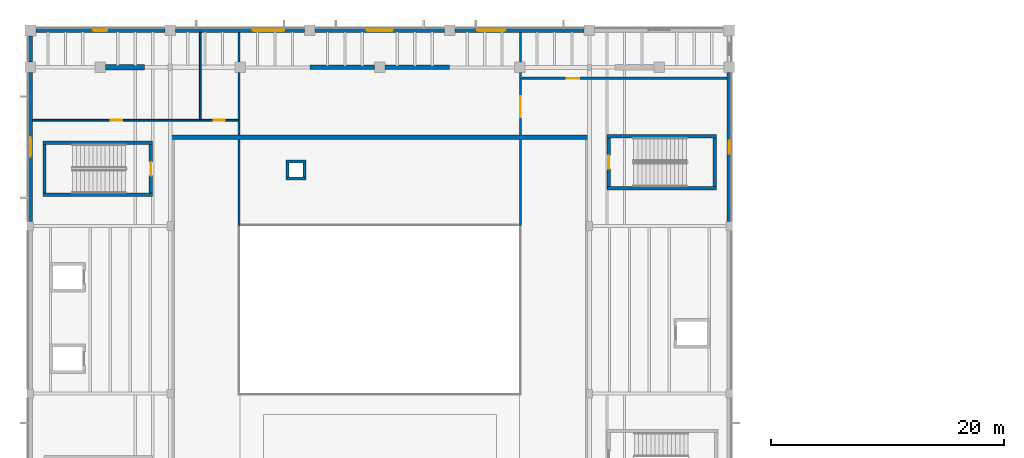
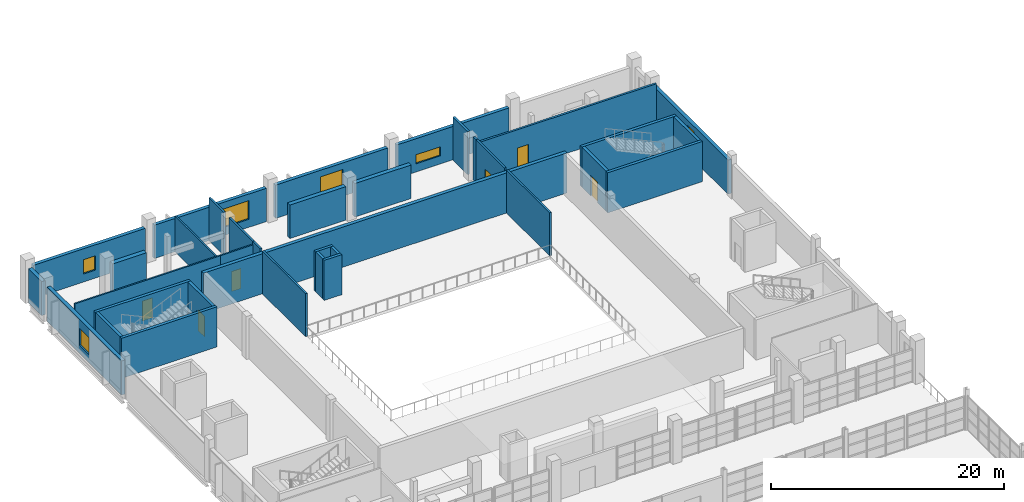
# One storey, part 93 of 114: 35 walls, 6 doors, 6 windows, 12 openings.
"""IFC4 building model written with IfcOpenShell, lengths in metres."""

from ifc_helpers import new_model, si_unit, direction, frame, frame_2d, origin, place, context, subcontext, project, spatial, rectangle, extrude, material, layer, layer_set, type_object, element, fill, save


model = new_model("IFC4")

# Units and contexts
model_context = context("Model", 3, precision=1e-05, world=origin(), true_north=direction((0.0, 1.0)))
body_context = subcontext(model_context, "Body", "Model", "MODEL_VIEW")
ifc_project = project(units=[si_unit("LENGTHUNIT", "METRE"), si_unit("AREAUNIT", "SQUARE_METRE"), si_unit("VOLUMEUNIT", "CUBIC_METRE"), si_unit("PLANEANGLEUNIT", "RADIAN"), si_unit("MASSUNIT", "GRAM", prefix="KILO")], contexts=[model_context])

# Site, building, storey
site_placement = place(None, origin())
site = spatial("IfcSite", under=ifc_project, at=site_placement, CompositionType="ELEMENT")
building_placement = place(site_placement, origin())
building = spatial("IfcBuilding", under=site, at=building_placement, Name="Kelmvaro Bay Concert Hall", CompositionType="ELEMENT")
storey_placement = place(building_placement, frame((0.0, 0.0, 4.800048828125)))
storey = spatial("IfcBuildingStorey", under=building, at=storey_placement, Name="L01", CompositionType="ELEMENT", Elevation=4.800048828125)

# Walls
ifc_material_1 = material(Name="Acoustic Gypsum Board on Galvanised Steel Studs", Category="steel")
ifc_layer_1 = layer(ifc_material_1, 0.199951171875)
ifc_layer_set_1 = layer_set([ifc_layer_1], Name="Acoustic Gypsum Board on Galvanised Steel Studs")
wall_type_1 = type_object("IfcWallType", Name="Double-Stud Acoustic Studio Partition 200", PredefinedType="PARTITIONING", material=ifc_layer_set_1)
wall_1_placement = place(storey_placement, frame((42.080078125, 109.875, 0.0), z_axis=(0.0, 0.0, 1.0), x_axis=(0.0, 1.0, 0.0)))
element("IfcWall", 1, at=wall_1_placement, inside=storey, type_object=wall_type_1, Name="L01 Interior Partition PT-L01-0137", PredefinedType="PARTITIONING", context=body_context, shape_type="SweptSolid", body=[
    extrude(rectangle(XDim=0.487060546875, YDim=0.199951171875, at=frame_2d((0.24365234375, 0.0))), origin(), (0.0, 0.0, 1.0), 4.5),
])
wall_2_placement = place(storey_placement, frame((42.080078125, 111.278076171875, 0.0), z_axis=(0.0, 0.0, 1.0), x_axis=(0.0, 1.0, 0.0)))
element("IfcWall", 2, at=wall_2_placement, inside=storey, type_object=wall_type_1, Name="L01 Interior Partition PT-L01-0138", PredefinedType="PARTITIONING", context=body_context, shape_type="SweptSolid", body=[
    extrude(rectangle(XDim=2.5419921875, YDim=0.199951171875, at=frame_2d((1.27099609375, 0.0))), origin(), (0.0, 0.0, 1.0), 4.5),
])

# Wall, opening, door
wall_3_placement = place(storey_placement, frame((42.18994140625, 109.8798828125, 0.0), z_axis=(0.0, 0.0, 1.0), x_axis=(1.0, 0.0, 0.0)))
wall_3 = element("IfcWall", 3, at=wall_3_placement, inside=storey, type_object=wall_type_1, Name="L01 Interior Partition PT-L01-0144", PredefinedType="PARTITIONING", context=body_context, shape_type="SweptSolid", body=[
    extrude(rectangle(XDim=17.630126953125, YDim=0.199951171875, at=frame_2d((8.81494140625, 0.0))), origin(), (0.0, 0.0, 1.0), 4.179931640625),
])
opening_1_placement = place(wall_3_placement, frame((3.84765625, 0.0, 0.0)))
opening_1 = element("IfcOpeningElement", 4, at=opening_1_placement, cuts=wall_3, Name="Opening ID-AC5", PredefinedType="OPENING", context=body_context, shape_type="SweptSolid", body=[
    extrude(rectangle(XDim=1.10009765625, YDim=2.260009765625, at=frame_2d((0.550048828125, 1.1298828125))), frame((0.0, 0.10986328125, 0.0), z_axis=(0.0, -1.0, 0.0), x_axis=(1.0, 0.0, 0.0)), (0.0, 0.0, 1.0), 0.219970703125),
])
ifc_material_2 = material(Name="Acoustic Laminated Steel Core", Category="steel")
door_type_1 = type_object("IfcDoorType", Name="Studio Sound-Lock Heavy Door 1100x2260", OperationType="NOTDEFINED", PredefinedType="DOOR", material=ifc_material_2)
door_1_placement = place(opening_1_placement, origin())
door_1 = element("IfcDoor", 5, at=door_1_placement, inside=storey, type_object=door_type_1, Name="L01 Interior Door DR-INT-L01-0087", OperationType="SINGLE_SWING_LEFT", OverallHeight=2.260009765625, OverallWidth=1.10009765625, PredefinedType="DOOR", context=body_context, shape_type="SweptSolid", body=[
    extrude(rectangle(XDim=1.10009765625, YDim=2.260009765625, at=frame_2d((0.550048828125, 1.1298828125))), frame((0.0, 0.02490234375, 0.0), z_axis=(0.0, -1.0, 0.0), x_axis=(1.0, 0.0, 0.0)), (0.0, 0.0, 1.0), 0.050048828125),
])
fill(opening_1, door_1)

# Wall
ifc_material_3 = material(Name="Concrete C40/50", Category="concrete")
ifc_layer_2 = layer(ifc_material_3, 0.35009765625)
ifc_layer_set_2 = layer_set([ifc_layer_2], Name="Concrete C40/50")
wall_type_2 = type_object("IfcWallType", Name="Inner Floating Box Shear Wall 350", PredefinedType="SHEAR", material=ifc_layer_set_2)
wall_4_placement = place(storey_placement, frame((12.0048828125, 104.820068359375, 0.0), z_axis=(0.0, 0.0, 1.0), x_axis=(1.0, 0.0, 0.0)))
element("IfcWall", 6, at=wall_4_placement, inside=storey, type_object=wall_type_2, Name="L01 V1 Acoustic Inner Box Wall N", PredefinedType="SHEAR", context=body_context, shape_type="SweptSolid", body=[
    extrude(rectangle(XDim=35.990234375, YDim=0.35009765625, at=frame_2d((17.9951171875, 0.0))), origin(), (0.0, 0.0, 1.0), 4.199951171875),
])

# Wall, opening, window
ifc_material_4 = material(Name="Precast Concrete C40/50", Category="concrete")
ifc_layer_3 = layer(ifc_material_4, 0.340087890625)
ifc_layer_set_3 = layer_set([ifc_layer_3], Name="Precast Concrete C40/50")
wall_type_3 = type_object("IfcWallType", Name="Main Hall Faceted Precast Wall 340", PredefinedType="SOLIDWALL", material=ifc_layer_set_3)
wall_5_placement = place(storey_placement, frame((0.47509765625, 114.0, 0.0), z_axis=(0.0, 0.0, 1.0), x_axis=(1.0, 0.0, 0.0)))
wall_5 = element("IfcWall", 7, at=wall_5_placement, inside=storey, type_object=wall_type_3, Name="L01 Exterior Wall EW-L01-0016", PredefinedType="SOLIDWALL", context=body_context, shape_type="SweptSolid", body=[
    extrude(rectangle(XDim=11.074951171875, YDim=0.340087890625, at=frame_2d((5.53759765625, 0.0))), origin(), (0.0, 0.0, 1.0), 3.487060546875),
])
opening_2_placement = place(wall_5_placement, frame((4.9375, 0.0, 0.85009765625)))
opening_2 = element("IfcOpeningElement", 8, at=opening_2_placement, cuts=wall_5, Name="Opening WN-06", PredefinedType="OPENING", context=body_context, shape_type="SweptSolid", body=[
    extrude(rectangle(XDim=1.199951171875, YDim=1.5, at=frame_2d((0.60009765625, 0.75))), frame((0.0, 0.179931640625, 0.0), z_axis=(0.0, -1.0, 0.0), x_axis=(1.0, 0.0, 0.0)), (0.0, 0.0, 1.0), 0.360107421875),
])
ifc_material_5 = material(Name="Thermally Broken Aluminium and Acoustic Low-E Glass", Category="aluminium")
window_type_1 = type_object("IfcWindowType", Name="Dressing Suite Daylight Window 1200x1500", PartitioningType="SINGLE_PANEL", PredefinedType="WINDOW", material=ifc_material_5)
window_1_placement = place(opening_2_placement, origin())
window_1 = element("IfcWindow", 9, at=window_1_placement, inside=storey, type_object=window_type_1, Name="L01 Facade Window WN-L01-0006", OverallHeight=1.5, OverallWidth=1.199951171875, PartitioningType="SINGLE_PANEL", PredefinedType="WINDOW", context=body_context, shape_type="SweptSolid", body=[
    extrude(rectangle(XDim=1.199951171875, YDim=1.5, at=frame_2d((0.60009765625, 0.75))), frame((0.0, 0.030029296875, 0.0), z_axis=(0.0, -1.0, 0.0), x_axis=(1.0, 0.0, 0.0)), (0.0, 0.0, 1.0), 0.06005859375),
])
fill(opening_2, window_1)

wall_6_placement = place(storey_placement, frame((12.449951171875, 114.0, 0.0), z_axis=(0.0, 0.0, 1.0), x_axis=(1.0, 0.0, 0.0)))
wall_6 = element("IfcWall", 10, at=wall_6_placement, inside=storey, type_object=wall_type_3, Name="L01 Exterior Wall EW-L01-0017", PredefinedType="SOLIDWALL", context=body_context, shape_type="SweptSolid", body=[
    extrude(rectangle(XDim=11.10009765625, YDim=0.340087890625, at=frame_2d((5.550048828125, 0.0))), origin(), (0.0, 0.0, 1.0), 3.487060546875),
])
opening_3_placement = place(wall_6_placement, frame((6.64208984375, 0.0, 0.85009765625)))
opening_3 = element("IfcOpeningElement", 11, at=opening_3_placement, cuts=wall_6, Name="Opening WN-07", PredefinedType="OPENING", context=body_context, shape_type="SweptSolid", body=[
    extrude(rectangle(XDim=2.699951171875, YDim=1.949951171875, at=frame_2d((1.35009765625, 0.97509765625))), frame((0.0, 0.179931640625, 0.0), z_axis=(0.0, -1.0, 0.0), x_axis=(1.0, 0.0, 0.0)), (0.0, 0.0, 1.0), 0.360107421875),
])
ifc_material_6 = material(Name="Thermally Broken Aluminium and Acoustic Low-E Glass", Category="aluminium")
window_type_2 = type_object("IfcWindowType", Name="Classroom Mullion Window 2700x1950", PartitioningType="SINGLE_PANEL", PredefinedType="WINDOW", material=ifc_material_6)
window_2_placement = place(opening_3_placement, origin())
window_2 = element("IfcWindow", 12, at=window_2_placement, inside=storey, type_object=window_type_2, Name="L01 Facade Window WN-L01-0007", OverallHeight=1.949951171875, OverallWidth=2.699951171875, PartitioningType="SINGLE_PANEL", PredefinedType="WINDOW", context=body_context, shape_type="SweptSolid", body=[
    extrude(rectangle(XDim=2.699951171875, YDim=1.949951171875, at=frame_2d((1.35009765625, 0.97509765625))), frame((0.0, 0.030029296875, 0.0), z_axis=(0.0, -1.0, 0.0), x_axis=(1.0, 0.0, 0.0)), (0.0, 0.0, 1.0), 0.06005859375),
])
fill(opening_3, window_2)

wall_7_placement = place(storey_placement, frame((24.449951171875, 114.0, 0.0), z_axis=(0.0, 0.0, 1.0), x_axis=(1.0, 0.0, 0.0)))
wall_7 = element("IfcWall", 13, at=wall_7_placement, inside=storey, type_object=wall_type_3, Name="L01 Exterior Wall EW-L01-0018", PredefinedType="SOLIDWALL", context=body_context, shape_type="SweptSolid", body=[
    extrude(rectangle(XDim=11.10009765625, YDim=0.340087890625, at=frame_2d((5.550048828125, 0.0))), origin(), (0.0, 0.0, 1.0), 3.487060546875),
])
opening_4_placement = place(wall_7_placement, frame((4.425048828125, 0.0, 0.85009765625)))
opening_4 = element("IfcOpeningElement", 14, at=opening_4_placement, cuts=wall_7, Name="Opening WN-08", PredefinedType="OPENING", context=body_context, shape_type="SweptSolid", body=[
    extrude(rectangle(XDim=2.25, YDim=1.949951171875, at=frame_2d((1.125, 0.97509765625))), frame((0.0, 0.179931640625, 0.0), z_axis=(0.0, -1.0, 0.0), x_axis=(1.0, 0.0, 0.0)), (0.0, 0.0, 1.0), 0.360107421875),
])
ifc_material_7 = material(Name="Thermally Broken Aluminium and Acoustic Low-E Glass", Category="aluminium")
window_type_3 = type_object("IfcWindowType", Name="Classroom Mullion Window 2250x1950", PartitioningType="SINGLE_PANEL", PredefinedType="WINDOW", material=ifc_material_7)
window_3_placement = place(opening_4_placement, origin())
window_3 = element("IfcWindow", 15, at=window_3_placement, inside=storey, type_object=window_type_3, Name="L01 Facade Window WN-L01-0008", OverallHeight=1.949951171875, OverallWidth=2.25, PartitioningType="SINGLE_PANEL", PredefinedType="WINDOW", context=body_context, shape_type="SweptSolid", body=[
    extrude(rectangle(XDim=2.25, YDim=1.949951171875, at=frame_2d((1.125, 0.97509765625))), frame((0.0, 0.030029296875, 0.0), z_axis=(0.0, -1.0, 0.0), x_axis=(1.0, 0.0, 0.0)), (0.0, 0.0, 1.0), 0.06005859375),
])
fill(opening_4, window_3)

wall_8_placement = place(storey_placement, frame((36.449951171875, 114.0, 0.0), z_axis=(0.0, 0.0, 1.0), x_axis=(1.0, 0.0, 0.0)))
wall_8 = element("IfcWall", 16, at=wall_8_placement, inside=storey, type_object=wall_type_3, Name="L01 Exterior Wall EW-L01-0019", PredefinedType="SOLIDWALL", context=body_context, shape_type="SweptSolid", body=[
    extrude(rectangle(XDim=11.10009765625, YDim=0.340087890625, at=frame_2d((5.550048828125, 0.0))), origin(), (0.0, 0.0, 1.0), 3.487060546875),
])
opening_5_placement = place(wall_8_placement, frame((1.907958984375, 0.0, 0.85009765625)))
opening_5 = element("IfcOpeningElement", 17, at=opening_5_placement, cuts=wall_8, Name="Opening WN-09", PredefinedType="OPENING", context=body_context, shape_type="SweptSolid", body=[
    extrude(rectangle(XDim=2.39990234375, YDim=0.949951171875, at=frame_2d((1.199951171875, 0.47509765625))), frame((0.0, 0.179931640625, 0.0), z_axis=(0.0, -1.0, 0.0), x_axis=(1.0, 0.0, 0.0)), (0.0, 0.0, 1.0), 0.360107421875),
])
ifc_material_8 = material(Name="Thermally Broken Aluminium and Acoustic Low-E Glass", Category="aluminium")
window_type_4 = type_object("IfcWindowType", Name="Archive Clerestory Window 2400x950", PartitioningType="SINGLE_PANEL", PredefinedType="WINDOW", material=ifc_material_8)
window_4_placement = place(opening_5_placement, origin())
window_4 = element("IfcWindow", 18, at=window_4_placement, inside=storey, type_object=window_type_4, Name="L01 Facade Window WN-L01-0009", OverallHeight=0.949951171875, OverallWidth=2.39990234375, PartitioningType="SINGLE_PANEL", PredefinedType="WINDOW", context=body_context, shape_type="SweptSolid", body=[
    extrude(rectangle(XDim=2.39990234375, YDim=0.949951171875, at=frame_2d((1.199951171875, 0.47509765625))), frame((0.0, 0.030029296875, 0.0), z_axis=(0.0, -1.0, 0.0), x_axis=(1.0, 0.0, 0.0)), (0.0, 0.0, 1.0), 0.06005859375),
])
fill(opening_5, window_4)

wall_9_placement = place(storey_placement, frame((60.0, 110.3701171875, 0.0), z_axis=(0.0, 0.0, 1.0), x_axis=(0.0, -1.0, 0.0)))
wall_9 = element("IfcWall", 19, at=wall_9_placement, inside=storey, type_object=wall_type_3, Name="L01 Exterior Wall EW-L01-0030", PredefinedType="SOLIDWALL", context=body_context, shape_type="SweptSolid", body=[
    extrude(rectangle(XDim=12.795166015625, YDim=0.340087890625, at=frame_2d((6.3974609375, 0.0))), origin(), (0.0, 0.0, 1.0), 3.56884765625),
])
opening_6_placement = place(wall_9_placement, frame((5.847412109375, 0.0, 0.60009765625)))
opening_6 = element("IfcOpeningElement", 20, at=opening_6_placement, cuts=wall_9, Name="Opening WN-14", PredefinedType="OPENING", context=body_context, shape_type="SweptSolid", body=[
    extrude(rectangle(XDim=1.10009765625, YDim=2.39990234375, at=frame_2d((0.550048828125, 1.199951171875))), frame((0.0, 0.179931640625, 0.0), z_axis=(0.0, -1.0, 0.0), x_axis=(1.0, 0.0, 0.0)), (0.0, 0.0, 1.0), 0.360107421875),
])
ifc_material_9 = material(Name="Thermally Broken Aluminium and Acoustic Low-E Glass", Category="aluminium")
window_type_5 = type_object("IfcWindowType", Name="Salon Vertical Slot Window 1100x2400", PartitioningType="SINGLE_PANEL", PredefinedType="WINDOW", material=ifc_material_9)
window_5_placement = place(opening_6_placement, origin())
window_5 = element("IfcWindow", 21, at=window_5_placement, inside=storey, type_object=window_type_5, Name="L01 Facade Window WN-L01-0016", OverallHeight=2.39990234375, OverallWidth=1.10009765625, PartitioningType="SINGLE_PANEL", PredefinedType="WINDOW", context=body_context, shape_type="SweptSolid", body=[
    extrude(rectangle(XDim=1.10009765625, YDim=2.39990234375, at=frame_2d((0.550048828125, 1.199951171875))), frame((0.0, 0.030029296875, 0.0), z_axis=(0.0, -1.0, 0.0), x_axis=(1.0, 0.0, 0.0)), (0.0, 0.0, 1.0), 0.06005859375),
])
fill(opening_6, window_5)

# Walls
ifc_material_10 = material(Name="Concrete C40/50", Category="concrete")
ifc_layer_4 = layer(ifc_material_10, 0.449951171875)
ifc_layer_set_4 = layer_set([ifc_layer_4], Name="Concrete C40/50")
wall_type_4 = type_object("IfcWallType", Name="Outer Acoustic Box Shear Wall 450", PredefinedType="SHEAR", material=ifc_layer_set_4)
wall_10_placement = place(storey_placement, frame((6.449951171875, 110.820068359375, 0.0), z_axis=(0.0, 0.0, 1.0), x_axis=(1.0, 0.0, 0.0)))
element("IfcWall", 22, at=wall_10_placement, inside=storey, type_object=wall_type_4, Name="L01 Shell Springing Shear Wall N1", PredefinedType="SHEAR", context=body_context, shape_type="SweptSolid", body=[
    extrude(rectangle(XDim=3.35009765625, YDim=0.449951171875, at=frame_2d((1.675048828125, 0.0))), origin(), (0.0, 0.0, 1.0), 3.5048828125),
])
ifc_material_11 = material(Name="Acoustic Gypsum Board on Galvanised Steel Studs", Category="steel")
ifc_layer_5 = layer(ifc_material_11, 0.179931640625)
ifc_layer_set_5 = layer_set([ifc_layer_5], Name="Acoustic Gypsum Board on Galvanised Steel Studs")
wall_type_5 = type_object("IfcWallType", Name="Rehearsal Suite Acoustic Partition 180", PredefinedType="PARTITIONING", material=ifc_layer_set_5)
wall_11_placement = place(storey_placement, frame((17.919921875, 97.25, 0.0), z_axis=(0.0, 0.0, 1.0), x_axis=(0.0, 1.0, 0.0)))
element("IfcWall", 23, at=wall_11_placement, inside=storey, type_object=wall_type_5, Name="L01 Interior Partition PT-L01-0131", PredefinedType="PARTITIONING", context=body_context, shape_type="SweptSolid", body=[
    extrude(rectangle(XDim=7.385009765625, YDim=0.179931640625, at=frame_2d((3.6923828125, 0.0))), origin(), (0.0, 0.0, 1.0), 4.5),
])
wall_12_placement = place(storey_placement, frame((17.919921875, 105.0048828125, 0.0), z_axis=(0.0, 0.0, 1.0), x_axis=(0.0, 1.0, 0.0)))
element("IfcWall", 24, at=wall_12_placement, inside=storey, type_object=wall_type_5, Name="L01 Interior Partition PT-L01-0132", PredefinedType="PARTITIONING", context=body_context, shape_type="SweptSolid", body=[
    extrude(rectangle(XDim=1.280029296875, YDim=0.179931640625, at=frame_2d((0.64013671875, 0.0))), origin(), (0.0, 0.0, 1.0), 4.5),
])
wall_13_placement = place(storey_placement, frame((17.919921875, 106.27490234375, 0.0), z_axis=(0.0, 0.0, 1.0), x_axis=(0.0, 1.0, 0.0)))
element("IfcWall", 25, at=wall_13_placement, inside=storey, type_object=wall_type_5, Name="L01 Interior Partition PT-L01-0133", PredefinedType="PARTITIONING", context=body_context, shape_type="SweptSolid", body=[
    extrude(rectangle(XDim=4.087158203125, YDim=0.179931640625, at=frame_2d((2.04345703125, 0.0))), origin(), (0.0, 0.0, 1.0), 4.5),
])
wall_14_placement = place(storey_placement, frame((17.919921875, 111.278076171875, 0.0), z_axis=(0.0, 0.0, 1.0), x_axis=(0.0, 1.0, 0.0)))
element("IfcWall", 26, at=wall_14_placement, inside=storey, type_object=wall_type_5, Name="L01 Interior Partition PT-L01-0134", PredefinedType="PARTITIONING", context=body_context, shape_type="SweptSolid", body=[
    extrude(rectangle(XDim=2.5419921875, YDim=0.179931640625, at=frame_2d((1.27099609375, 0.0))), origin(), (0.0, 0.0, 1.0), 4.5),
])
wall_15_placement = place(storey_placement, frame((42.080078125, 97.25, 0.0), z_axis=(0.0, 0.0, 1.0), x_axis=(0.0, 1.0, 0.0)))
element("IfcWall", 27, at=wall_15_placement, inside=storey, type_object=wall_type_5, Name="L01 Interior Partition PT-L01-0135", PredefinedType="PARTITIONING", context=body_context, shape_type="SweptSolid", body=[
    extrude(rectangle(XDim=7.385009765625, YDim=0.179931640625, at=frame_2d((3.6923828125, 0.0))), origin(), (0.0, 0.0, 1.0), 4.5),
])

# Wall, opening, door
wall_16_placement = place(storey_placement, frame((42.080078125, 105.0048828125, 0.0), z_axis=(0.0, 0.0, 1.0), x_axis=(0.0, 1.0, 0.0)))
wall_16 = element("IfcWall", 28, at=wall_16_placement, inside=storey, type_object=wall_type_5, Name="L01 Interior Partition PT-L01-0136", PredefinedType="PARTITIONING", context=body_context, shape_type="SweptSolid", body=[
    extrude(rectangle(XDim=4.880126953125, YDim=0.179931640625, at=frame_2d((2.43994140625, 0.0))), origin(), (0.0, 0.0, 1.0), 4.5),
])
opening_7_placement = place(wall_16_placement, frame((1.5400390625, 0.0, 0.0)))
opening_7 = element("IfcOpeningElement", 29, at=opening_7_placement, cuts=wall_16, Name="Opening ID-AC1", PredefinedType="OPENING", context=body_context, shape_type="SweptSolid", body=[
    extrude(rectangle(XDim=1.800048828125, YDim=2.3798828125, at=frame_2d((0.89990234375, 1.18994140625))), frame((0.0, 0.099853515625, 0.0), z_axis=(0.0, -1.0, 0.0), x_axis=(1.0, 0.0, 0.0)), (0.0, 0.0, 1.0), 0.199951171875),
])
ifc_material_12 = material(Name="Solid White Oak Acoustic Leaf")
door_type_2 = type_object("IfcDoorType", Name="Symphony Hall Acoustic Double Door 1800x2380", OperationType="NOTDEFINED", PredefinedType="DOOR", material=ifc_material_12)
door_2_placement = place(opening_7_placement, origin())
door_2 = element("IfcDoor", 30, at=door_2_placement, inside=storey, type_object=door_type_2, Name="L01 Interior Door DR-INT-L01-0083", OperationType="DOUBLE_DOOR_SINGLE_SWING", OverallHeight=2.3798828125, OverallWidth=1.800048828125, PredefinedType="DOOR", context=body_context, shape_type="SweptSolid", body=[
    extrude(rectangle(XDim=1.800048828125, YDim=2.3798828125, at=frame_2d((0.89990234375, 1.18994140625))), frame((0.0, 0.02490234375, 0.0), z_axis=(0.0, -1.0, 0.0), x_axis=(1.0, 0.0, 0.0)), (0.0, 0.0, 1.0), 0.050048828125),
])
fill(opening_7, door_2)

# Walls
ifc_material_13 = material(Name="Concrete C40/50", Category="concrete")
ifc_layer_6 = layer(ifc_material_13, 0.27001953125)
ifc_layer_set_6 = layer_set([ifc_layer_6], Name="Concrete C40/50")
wall_type_6 = type_object("IfcWallType", Name="Secondary Shaft Shear Wall 270", PredefinedType="SHEAR", material=ifc_layer_set_6)
for number, where, z_axis, x_axis, name in (
    (31, (21.929931640625, 101.264892578125, 0.0), (0.0, 0.0, 1.0), (1.0, 0.0, 0.0), "L01 Service Riser Shaft Wall 061-S"),
    (32, (21.929931640625, 102.735107421875, 0.0), (0.0, 0.0, 1.0), (1.0, 0.0, 0.0), "L01 Service Riser Shaft Wall 062-N"),
):
    element("IfcWall", number, at=place(storey_placement, frame(where, z_axis=z_axis, x_axis=x_axis)), inside=storey, type_object=wall_type_6, Name=name, PredefinedType="SHEAR", context=body_context, shape_type="SweptSolid", body=[
        extrude(rectangle(XDim=1.739990234375, YDim=0.27001953125, at=frame_2d((0.8701171875, 0.0))), origin(), (0.0, 0.0, 1.0), 4.199951171875),
    ])
for number, where, z_axis, x_axis, name in (
    (33, (22.06494140625, 101.39990234375, 0.0), (0.0, 0.0, 1.0), (0.0, 1.0, 0.0), "L01 Service Riser Shaft Wall 063-W"),
    (34, (23.534912109375, 101.39990234375, 0.0), (0.0, 0.0, 1.0), (0.0, 1.0, 0.0), "L01 Service Riser Shaft Wall 064-E"),
):
    element("IfcWall", number, at=place(storey_placement, frame(where, z_axis=z_axis, x_axis=x_axis)), inside=storey, type_object=wall_type_6, Name=name, PredefinedType="SHEAR", context=body_context, shape_type="SweptSolid", body=[
        extrude(rectangle(XDim=1.2001953125, YDim=0.27001953125, at=frame_2d((0.60009765625, 0.0))), origin(), (0.0, 0.0, 1.0), 4.199951171875),
    ])
ifc_material_14 = material(Name="Concrete C40/50", Category="concrete")
ifc_layer_7 = layer(ifc_material_14, 0.409912109375)
ifc_layer_set_7 = layer_set([ifc_layer_7], Name="Concrete C40/50")
wall_type_7 = type_object("IfcWallType", Name="Shell Springing Shear Wall 410", PredefinedType="SHEAR", material=ifc_layer_set_7)
for number, where, z_axis, x_axis, name in (
    (35, (24.0, 110.820068359375, 0.0), (0.0, 0.0, 1.0), (1.0, 0.0, 0.0), "L01 Shell Springing Shear Wall N2"),
    (36, (30.449951171875, 110.820068359375, 0.0), (0.0, 0.0, 1.0), (1.0, 0.0, 0.0), "L01 Shell Springing Shear Wall N3"),
):
    element("IfcWall", number, at=place(storey_placement, frame(where, z_axis=z_axis, x_axis=x_axis)), inside=storey, type_object=wall_type_7, Name=name, PredefinedType="SHEAR", context=body_context, shape_type="SweptSolid", body=[
        extrude(rectangle(XDim=5.550048828125, YDim=0.409912109375, at=frame_2d((2.77490234375, 0.0))), origin(), (0.0, 0.0, 1.0), 3.5048828125),
    ])
ifc_material_15 = material(Name="Concrete C40/50", Category="concrete")
ifc_layer_8 = layer(ifc_material_15, 0.2900390625)
ifc_layer_set_8 = layer_set([ifc_layer_8], Name="Concrete C40/50")
wall_type_8 = type_object("IfcWallType", Name="Stair and Lift Core Shear Wall 290", PredefinedType="SHEAR", material=ifc_layer_set_8)
for number, where, z_axis, x_axis, name in (
    (37, (49.510009765625, 100.455078125, 0.0), (0.0, 0.0, 1.0), (1.0, 0.0, 0.0), "L01 ST-02 Core Shear Wall S"),
    (38, (49.510009765625, 104.89501953125, 0.0), (0.0, 0.0, 1.0), (1.0, 0.0, 0.0), "L01 ST-02 Core Shear Wall N"),
):
    element("IfcWall", number, at=place(storey_placement, frame(where, z_axis=z_axis, x_axis=x_axis)), inside=storey, type_object=wall_type_8, Name=name, PredefinedType="SHEAR", context=body_context, shape_type="SweptSolid", body=[
        extrude(rectangle(XDim=9.3798828125, YDim=0.2900390625, at=frame_2d((4.68994140625, 0.0))), origin(), (0.0, 0.0, 1.0), 4.199951171875),
    ])

# Wall, opening, door
wall_17_placement = place(storey_placement, frame((49.655029296875, 100.60009765625, 0.0), z_axis=(0.0, 0.0, 1.0), x_axis=(0.0, 1.0, 0.0)))
wall_17 = element("IfcWall", 39, at=wall_17_placement, inside=storey, type_object=wall_type_8, Name="L01 ST-02 Core Shear Wall W", PredefinedType="SHEAR", context=body_context, shape_type="SweptSolid", body=[
    extrude(rectangle(XDim=4.14990234375, YDim=0.2900390625, at=frame_2d((2.074951171875, 0.0))), origin(), (0.0, 0.0, 1.0), 4.199951171875),
])
opening_8_placement = place(wall_17_placement, frame((1.5, 0.0, 0.0)))
opening_8 = element("IfcOpeningElement", 40, at=opening_8_placement, cuts=wall_17, Name="Opening ID-ST1", PredefinedType="OPENING", context=body_context, shape_type="SweptSolid", body=[
    extrude(rectangle(XDim=1.14990234375, YDim=2.14990234375, at=frame_2d((0.574951171875, 1.074951171875))), frame((0.0, 0.155029296875, 0.0), z_axis=(0.0, -1.0, 0.0), x_axis=(1.0, 0.0, 0.0)), (0.0, 0.0, 1.0), 0.31005859375),
])
ifc_material_16 = material(Name="Fire-Rated Galvanised Steel", Category="steel")
door_type_3 = type_object("IfcDoorType", Name="Exit Stair Fire Door 1150x2150", OperationType="NOTDEFINED", PredefinedType="DOOR", material=ifc_material_16)
door_3_placement = place(opening_8_placement, origin())
door_3 = element("IfcDoor", 41, at=door_3_placement, inside=storey, type_object=door_type_3, Name="L01 ST-02 Stair Fire Door", OperationType="SINGLE_SWING_LEFT", OverallHeight=2.14990234375, OverallWidth=1.14990234375, PredefinedType="DOOR", context=body_context, shape_type="SweptSolid", body=[
    extrude(rectangle(XDim=1.14990234375, YDim=2.14990234375, at=frame_2d((0.574951171875, 1.074951171875))), frame((0.0, 0.02490234375, 0.0), z_axis=(0.0, -1.0, 0.0), x_axis=(1.0, 0.0, 0.0)), (0.0, 0.0, 1.0), 0.050048828125),
])
fill(opening_8, door_3)

# Walls
wall_18_placement = place(storey_placement, frame((58.7451171875, 100.60009765625, 0.0), z_axis=(0.0, 0.0, 1.0), x_axis=(0.0, 1.0, 0.0)))
element("IfcWall", 42, at=wall_18_placement, inside=storey, type_object=wall_type_8, Name="L01 ST-02 Core Shear Wall E", PredefinedType="SHEAR", context=body_context, shape_type="SweptSolid", body=[
    extrude(rectangle(XDim=4.14990234375, YDim=0.2900390625, at=frame_2d((2.074951171875, 0.0))), origin(), (0.0, 0.0, 1.0), 4.199951171875),
])
for number, where, z_axis, x_axis, name in (
    (43, (1.06005859375, 99.864990234375, 0.0), (0.0, 0.0, 1.0), (1.0, 0.0, 0.0), "L01 ST-03 Core Shear Wall S"),
    (44, (1.06005859375, 104.344970703125, 0.0), (0.0, 0.0, 1.0), (1.0, 0.0, 0.0), "L01 ST-03 Core Shear Wall N"),
):
    element("IfcWall", number, at=place(storey_placement, frame(where, z_axis=z_axis, x_axis=x_axis)), inside=storey, type_object=wall_type_8, Name=name, PredefinedType="SHEAR", context=body_context, shape_type="SweptSolid", body=[
        extrude(rectangle(XDim=9.429931640625, YDim=0.2900390625, at=frame_2d((4.71484375, 0.0))), origin(), (0.0, 0.0, 1.0), 4.199951171875),
    ])
wall_19_placement = place(storey_placement, frame((1.205078125, 100.010009765625, 0.0), z_axis=(0.0, 0.0, 1.0), x_axis=(0.0, 1.0, 0.0)))
element("IfcWall", 45, at=wall_19_placement, inside=storey, type_object=wall_type_8, Name="L01 ST-03 Core Shear Wall W", PredefinedType="SHEAR", context=body_context, shape_type="SweptSolid", body=[
    extrude(rectangle(XDim=4.18994140625, YDim=0.2900390625, at=frame_2d((2.094970703125, 0.0))), origin(), (0.0, 0.0, 1.0), 4.199951171875),
])

# Wall, opening, door
wall_20_placement = place(storey_placement, frame((10.344970703125, 100.010009765625, 0.0), z_axis=(0.0, 0.0, 1.0), x_axis=(0.0, 1.0, 0.0)))
wall_20 = element("IfcWall", 46, at=wall_20_placement, inside=storey, type_object=wall_type_8, Name="L01 ST-03 Core Shear Wall E", PredefinedType="SHEAR", context=body_context, shape_type="SweptSolid", body=[
    extrude(rectangle(XDim=4.18994140625, YDim=0.2900390625, at=frame_2d((2.094970703125, 0.0))), origin(), (0.0, 0.0, 1.0), 4.199951171875),
])
opening_9_placement = place(wall_20_placement, frame((1.52001953125, 0.0, 0.0)))
opening_9 = element("IfcOpeningElement", 47, at=opening_9_placement, cuts=wall_20, Name="Opening ID-ST1", PredefinedType="OPENING", context=body_context, shape_type="SweptSolid", body=[
    extrude(rectangle(XDim=1.14990234375, YDim=2.14990234375, at=frame_2d((0.574951171875, 1.074951171875))), frame((0.0, 0.155029296875, 0.0), z_axis=(0.0, -1.0, 0.0), x_axis=(1.0, 0.0, 0.0)), (0.0, 0.0, 1.0), 0.31005859375),
])
door_4_placement = place(opening_9_placement, origin())
door_4 = element("IfcDoor", 48, at=door_4_placement, inside=storey, type_object=door_type_3, Name="L01 ST-03 Stair Fire Door", OperationType="SINGLE_SWING_LEFT", OverallHeight=2.14990234375, OverallWidth=1.14990234375, PredefinedType="DOOR", context=body_context, shape_type="SweptSolid", body=[
    extrude(rectangle(XDim=1.14990234375, YDim=2.14990234375, at=frame_2d((0.574951171875, 1.074951171875))), frame((0.0, 0.02490234375, 0.0), z_axis=(0.0, -1.0, 0.0), x_axis=(1.0, 0.0, 0.0)), (0.0, 0.0, 1.0), 0.050048828125),
])
fill(opening_9, door_4)

# Wall, opening, window
ifc_material_17 = material(Name="Precast Concrete C40/50", Category="concrete")
ifc_layer_9 = layer(ifc_material_17, 0.360107421875)
ifc_layer_set_9 = layer_set([ifc_layer_9], Name="Precast Concrete C40/50")
wall_type_9 = type_object("IfcWallType", Name="Travertine Acoustic Precast Wall 360", PredefinedType="SOLIDWALL", material=ifc_layer_set_9)
wall_21_placement = place(storey_placement, frame((0.0, 97.574951171875, 0.0), z_axis=(0.0, 0.0, 1.0), x_axis=(0.0, 1.0, 0.0)))
wall_21 = element("IfcWall", 49, at=wall_21_placement, inside=storey, type_object=wall_type_9, Name="L01 Exterior Wall EW-L01-0024", PredefinedType="SOLIDWALL", context=body_context, shape_type="SweptSolid", body=[
    extrude(rectangle(XDim=12.795166015625, YDim=0.360107421875, at=frame_2d((6.3974609375, 0.0))), origin(), (0.0, 0.0, 1.0), 3.56884765625),
])
opening_10_placement = place(wall_21_placement, frame((5.572509765625, 0.0, 0.85009765625)))
opening_10 = element("IfcOpeningElement", 50, at=opening_10_placement, cuts=wall_21, Name="Opening WN-12", PredefinedType="OPENING", context=body_context, shape_type="SweptSolid", body=[
    extrude(rectangle(XDim=1.64990234375, YDim=1.75, at=frame_2d((0.824951171875, 0.875))), frame((0.0, 0.18994140625, 0.0), z_axis=(0.0, -1.0, 0.0), x_axis=(1.0, 0.0, 0.0)), (0.0, 0.0, 1.0), 0.380126953125),
])
ifc_material_18 = material(Name="Thermally Broken Aluminium and Acoustic Low-E Glass", Category="aluminium")
window_type_6 = type_object("IfcWindowType", Name="Administration View Window 1650x1750", PartitioningType="SINGLE_PANEL", PredefinedType="WINDOW", material=ifc_material_18)
window_6_placement = place(opening_10_placement, origin())
window_6 = element("IfcWindow", 51, at=window_6_placement, inside=storey, type_object=window_type_6, Name="L01 Facade Window WN-L01-0012", OverallHeight=1.75, OverallWidth=1.64990234375, PartitioningType="SINGLE_PANEL", PredefinedType="WINDOW", context=body_context, shape_type="SweptSolid", body=[
    extrude(rectangle(XDim=1.64990234375, YDim=1.75, at=frame_2d((0.824951171875, 0.875))), frame((0.0, 0.030029296875, 0.0), z_axis=(0.0, -1.0, 0.0), x_axis=(1.0, 0.0, 0.0)), (0.0, 0.0, 1.0), 0.06005859375),
])
fill(opening_10, window_6)

# Wall
wall_22_placement = place(storey_placement, frame((0.0, 111.27001953125, 0.0), z_axis=(0.0, 0.0, 1.0), x_axis=(0.0, 1.0, 0.0)))
element("IfcWall", 52, at=wall_22_placement, inside=storey, type_object=wall_type_9, Name="L01 Exterior Wall EW-L01-0025", PredefinedType="SOLIDWALL", context=body_context, shape_type="SweptSolid", body=[
    extrude(rectangle(XDim=2.2548828125, YDim=0.360107421875, at=frame_2d((1.12744140625, 0.0))), origin(), (0.0, 0.0, 1.0), 3.56787109375),
])

# Wall, opening, door
ifc_material_19 = material(Name="Acoustic Gypsum Board on Galvanised Steel Studs", Category="steel")
ifc_layer_10 = layer(ifc_material_19, 0.14990234375)
ifc_layer_set_10 = layer_set([ifc_layer_10], Name="Acoustic Gypsum Board on Galvanised Steel Studs")
wall_type_10 = type_object("IfcWallType", Name="Wet Area Moisture-Resistant Partition 150", PredefinedType="PARTITIONING", material=ifc_layer_set_10)
wall_23_placement = place(storey_placement, frame((0.18994140625, 106.280029296875, 0.0), z_axis=(0.0, 0.0, 1.0), x_axis=(1.0, 0.0, 0.0)))
wall_23 = element("IfcWall", 53, at=wall_23_placement, inside=storey, type_object=wall_type_10, Name="L01 Interior Partition PT-L01-0140", PredefinedType="PARTITIONING", context=body_context, shape_type="SweptSolid", body=[
    extrude(rectangle(XDim=14.39501953125, YDim=0.14990234375, at=frame_2d((7.197509765625, 0.0))), origin(), (0.0, 0.0, 1.0), 4.179931640625),
])
opening_11_placement = place(wall_23_placement, frame((6.6923828125, 0.0, 0.0)))
opening_11 = element("IfcOpeningElement", 54, at=opening_11_placement, cuts=wall_23, Name="Opening ID-WC2", PredefinedType="OPENING", context=body_context, shape_type="SweptSolid", body=[
    extrude(rectangle(XDim=1.010009765625, YDim=2.10009765625, at=frame_2d((0.5048828125, 1.050048828125))), frame((0.0, 0.0849609375, 0.0), z_axis=(0.0, -1.0, 0.0), x_axis=(1.0, 0.0, 0.0)), (0.0, 0.0, 1.0), 0.169921875),
])
ifc_material_20 = material(Name="High-Pressure Laminate Core")
door_type_4 = type_object("IfcDoorType", Name="Public Restroom Vestibule Door 1010x2100", OperationType="NOTDEFINED", PredefinedType="DOOR", material=ifc_material_20)
door_5_placement = place(opening_11_placement, origin())
door_5 = element("IfcDoor", 55, at=door_5_placement, inside=storey, type_object=door_type_4, Name="L01 Interior Door DR-INT-L01-0084", OperationType="SINGLE_SWING_RIGHT", OverallHeight=2.10009765625, OverallWidth=1.010009765625, PredefinedType="DOOR", context=body_context, shape_type="SweptSolid", body=[
    extrude(rectangle(XDim=1.010009765625, YDim=2.10009765625, at=frame_2d((0.5048828125, 1.050048828125))), frame((0.0, 0.02490234375, 0.0), z_axis=(0.0, -1.0, 0.0), x_axis=(1.0, 0.0, 0.0)), (0.0, 0.0, 1.0), 0.050048828125),
])
fill(opening_11, door_5)

wall_24_placement = place(storey_placement, frame((14.574951171875, 106.280029296875, 0.0), z_axis=(0.0, 0.0, 1.0), x_axis=(1.0, 0.0, 0.0)))
wall_24 = element("IfcWall", 56, at=wall_24_placement, inside=storey, type_object=wall_type_10, Name="L01 Interior Partition PT-L01-0141", PredefinedType="PARTITIONING", context=body_context, shape_type="SweptSolid", body=[
    extrude(rectangle(XDim=3.2451171875, YDim=0.14990234375, at=frame_2d((1.62255859375, 0.0))), origin(), (0.0, 0.0, 1.0), 4.179931640625),
])
opening_12_placement = place(wall_24_placement, frame((1.152587890625, 0.0, 0.0)))
opening_12 = element("IfcOpeningElement", 57, at=opening_12_placement, cuts=wall_24, Name="Opening ID-WC1", PredefinedType="OPENING", context=body_context, shape_type="SweptSolid", body=[
    extrude(rectangle(XDim=0.93994140625, YDim=2.10009765625, at=frame_2d((0.469970703125, 1.050048828125))), frame((0.0, 0.0849609375, 0.0), z_axis=(0.0, -1.0, 0.0), x_axis=(1.0, 0.0, 0.0)), (0.0, 0.0, 1.0), 0.169921875),
])
ifc_material_21 = material(Name="High-Pressure Laminate Core")
door_type_5 = type_object("IfcDoorType", Name="Accessible Restroom Door 940x2100", OperationType="NOTDEFINED", PredefinedType="DOOR", material=ifc_material_21)
door_6_placement = place(opening_12_placement, origin())
door_6 = element("IfcDoor", 58, at=door_6_placement, inside=storey, type_object=door_type_5, Name="L01 Interior Door DR-INT-L01-0085", OperationType="SINGLE_SWING_LEFT", OverallHeight=2.10009765625, OverallWidth=0.93994140625, PredefinedType="DOOR", context=body_context, shape_type="SweptSolid", body=[
    extrude(rectangle(XDim=0.93994140625, YDim=2.10009765625, at=frame_2d((0.469970703125, 1.050048828125))), frame((0.0, 0.02490234375, 0.0), z_axis=(0.0, -1.0, 0.0), x_axis=(1.0, 0.0, 0.0)), (0.0, 0.0, 1.0), 0.050048828125),
])
fill(opening_12, door_6)

# Wall
wall_25_placement = place(storey_placement, frame((14.580078125, 106.364990234375, 0.0), z_axis=(0.0, 0.0, 1.0), x_axis=(0.0, 1.0, 0.0)))
element("IfcWall", 59, at=wall_25_placement, inside=storey, type_object=wall_type_10, Name="L01 Interior Partition PT-L01-0142", PredefinedType="PARTITIONING", context=body_context, shape_type="SweptSolid", body=[
    extrude(rectangle(XDim=7.455078125, YDim=0.14990234375, at=frame_2d((3.7275390625, 0.0))), origin(), (0.0, 0.0, 1.0), 3.722900390625),
])

save(model, "model.ifc")
